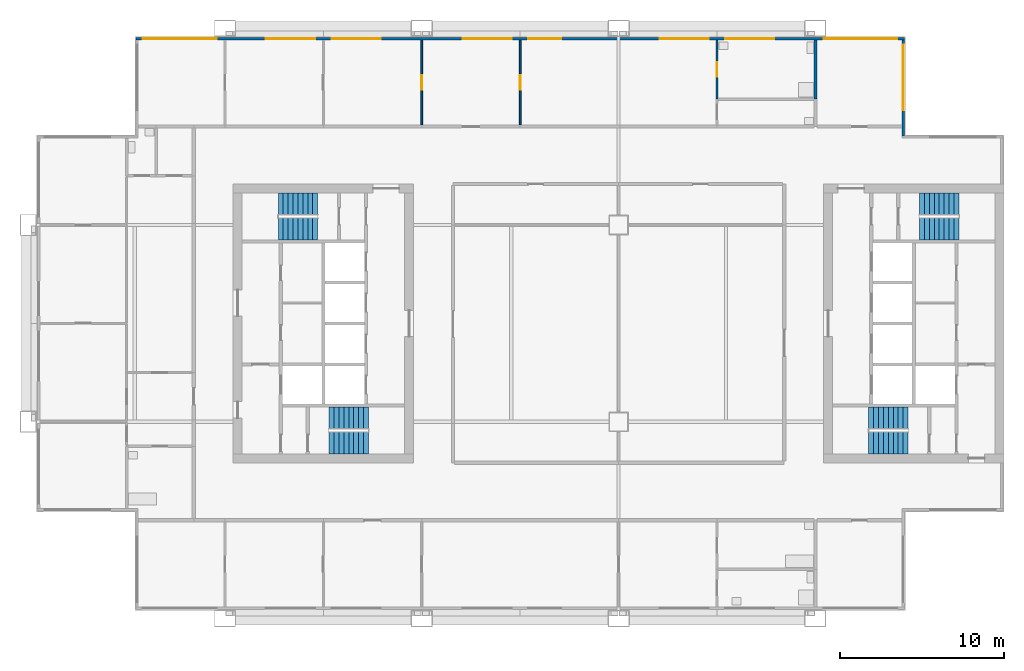
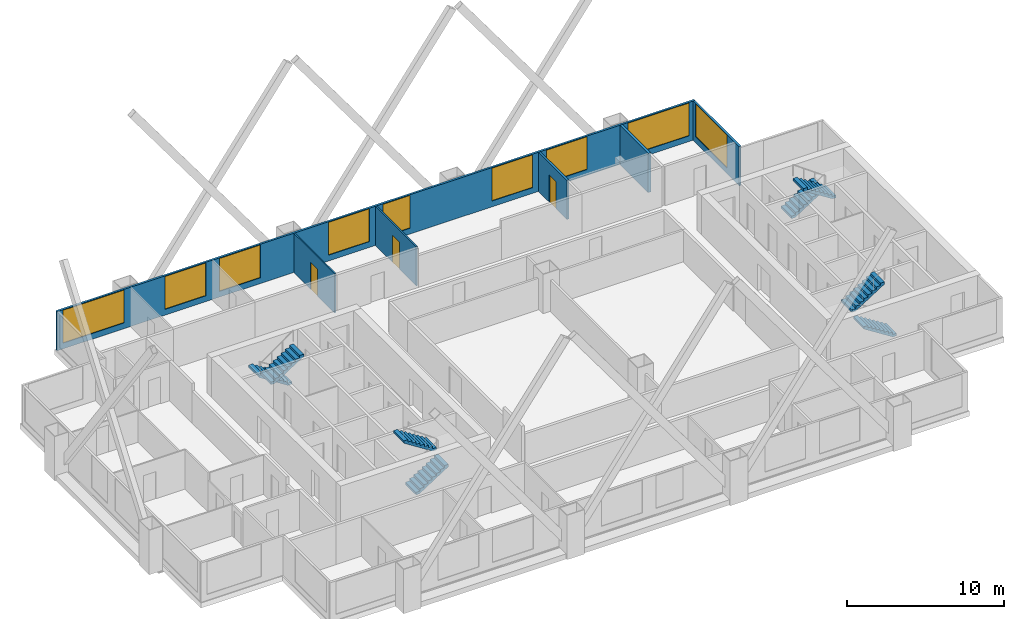
# One storey, part 6 of 8: 9 windows, 8 stair flights, 6 walls, 3 doors, 12 openings, 4 elements without a shape of their own.
"""IFC4 building model written with IfcOpenShell, lengths in metres."""

from ifc_helpers import new_model, si_unit, direction, frame, frame_2d, origin, place, context, subcontext, project, spatial, polyline, rectangle, outline, extrude, material, layer, layer_set, type_object, element, fill, aggregate, save


model = new_model("IFC4")

# Units and contexts
model_context = context("Model", 3, precision=1e-05, world=origin(), true_north=direction((0.0, 1.0)))
body_context = subcontext(model_context, "Body", "Model", "MODEL_VIEW")
ifc_project = project(units=[si_unit("LENGTHUNIT", "METRE"), si_unit("AREAUNIT", "SQUARE_METRE"), si_unit("VOLUMEUNIT", "CUBIC_METRE"), si_unit("PLANEANGLEUNIT", "RADIAN"), si_unit("MASSUNIT", "GRAM", prefix="KILO")], contexts=[model_context])

# Site, building, storey
site_placement = place(None, origin())
site = spatial("IfcSite", under=ifc_project, at=site_placement, CompositionType="ELEMENT")
building_placement = place(site_placement, origin())
building = spatial("IfcBuilding", under=site, at=building_placement, Name="Kitamizu Gate Tower and Museum", CompositionType="ELEMENT")
storey_placement = place(building_placement, frame((0.0, 0.0, 175.5)))
storey = spatial("IfcBuildingStorey", under=building, at=storey_placement, Name="L46", CompositionType="ELEMENT", Elevation=175.5)

# Wall, opening, door
ifc_material_1 = material(Name="Gypsum board on galvanised stud")
ifc_layer_1 = layer(ifc_material_1, 0.10009765625)
ifc_layer_set_1 = layer_set([ifc_layer_1], Name="Gypsum board on galvanised stud")
wall_type_1 = type_object("IfcWallType", Name="Partition 100 NOT RATED", PredefinedType="PARTITIONING", material=ifc_layer_set_1)
wall_1_placement = place(storey_placement, frame((24.0, 42.10009765625, 0.0), z_axis=(0.0, 0.0, 1.0), x_axis=(0.0, 1.0, 0.0)))
wall_1 = element("IfcWall", 1, at=wall_1_placement, inside=storey, type_object=wall_type_1, Name="Partition L46-024", PredefinedType="PARTITIONING", context=body_context, shape_type="SweptSolid", body=[
    extrude(rectangle(XDim=5.179931640625, YDim=0.10009765625, at=frame_2d((2.58984375, 0.0))), origin(), (0.0, 0.0, 1.0), 3.050048828125),
])
opening_1_placement = place(wall_1_placement, frame((2.139892578125, 0.0, 0.0)))
opening_1 = element("IfcOpeningElement", 2, at=opening_1_placement, cuts=wall_1, Name="Opening L46-011", PredefinedType="OPENING", context=body_context, shape_type="SweptSolid", body=[
    extrude(rectangle(XDim=0.89990234375, YDim=2.10009765625, at=frame_2d((0.449951171875, 1.050048828125))), frame((0.0, 0.06005859375, 0.0), z_axis=(0.0, -1.0, 0.0), x_axis=(1.0, 0.0, 0.0)), (0.0, 0.0, 1.0), 0.1201171875),
])
ifc_material_2 = material(Name="Timber door set", Category="wood")
door_type_1 = type_object("IfcDoorType", Name="Room door 900", OperationType="NOTDEFINED", PredefinedType="DOOR", material=ifc_material_2)
door_1_placement = place(opening_1_placement, origin())
door_1 = element("IfcDoor", 3, at=door_1_placement, inside=storey, type_object=door_type_1, Name="Door L46-011", OperationType="SINGLE_SWING_RIGHT", OverallHeight=2.10009765625, OverallWidth=0.89990234375, PredefinedType="DOOR", context=body_context, shape_type="SweptSolid", body=[
    extrude(rectangle(XDim=0.89990234375, YDim=2.10009765625, at=frame_2d((0.449951171875, 1.050048828125))), frame((0.0, 0.02490234375, 0.0), z_axis=(0.0, -1.0, 0.0), x_axis=(1.0, 0.0, 0.0)), (0.0, 0.0, 1.0), 0.050048828125),
])
fill(opening_1, door_1)

wall_2_placement = place(storey_placement, frame((30.0, 42.10009765625, 0.0), z_axis=(0.0, 0.0, 1.0), x_axis=(0.0, 1.0, 0.0)))
wall_2 = element("IfcWall", 4, at=wall_2_placement, inside=storey, type_object=wall_type_1, Name="Partition L46-026", PredefinedType="PARTITIONING", context=body_context, shape_type="SweptSolid", body=[
    extrude(rectangle(XDim=5.179931640625, YDim=0.10009765625, at=frame_2d((2.58984375, 0.0))), origin(), (0.0, 0.0, 1.0), 3.050048828125),
])
opening_2_placement = place(wall_2_placement, frame((2.139892578125, 0.0, 0.0)))
opening_2 = element("IfcOpeningElement", 5, at=opening_2_placement, cuts=wall_2, Name="Opening L46-009", PredefinedType="OPENING", context=body_context, shape_type="SweptSolid", body=[
    extrude(rectangle(XDim=0.89990234375, YDim=2.10009765625, at=frame_2d((0.449951171875, 1.050048828125))), frame((0.0, 0.06005859375, 0.0), z_axis=(0.0, -1.0, 0.0), x_axis=(1.0, 0.0, 0.0)), (0.0, 0.0, 1.0), 0.1201171875),
])
door_2_placement = place(opening_2_placement, frame((0.89990234375, 0.0, 0.0), x_axis=(-1.0, 0.0, 0.0)))
door_2 = element("IfcDoor", 6, at=door_2_placement, inside=storey, type_object=door_type_1, Name="Door L46-009", OperationType="SINGLE_SWING_LEFT", OverallHeight=2.10009765625, OverallWidth=0.89990234375, PredefinedType="DOOR", context=body_context, shape_type="SweptSolid", body=[
    extrude(rectangle(XDim=0.89990234375, YDim=2.10009765625, at=frame_2d((0.449951171875, 1.050048828125))), frame((0.0, 0.02490234375, 0.0), z_axis=(0.0, -1.0, 0.0), x_axis=(1.0, 0.0, 0.0)), (0.0, 0.0, 1.0), 0.050048828125),
])
fill(opening_2, door_2)

ifc_material_3 = material(Name="Gypsum board on galvanised stud")
ifc_layer_2 = layer(ifc_material_3, 0.14990234375)
ifc_layer_set_2 = layer_set([ifc_layer_2], Name="Gypsum board on galvanised stud")
wall_type_2 = type_object("IfcWallType", Name="Partition 150", PredefinedType="PARTITIONING", material=ifc_layer_set_2)
wall_3_placement = place(storey_placement, frame((42.0, 43.679931640625, 0.0), z_axis=(0.0, 0.0, 1.0), x_axis=(0.0, 1.0, 0.0)))
wall_3 = element("IfcWall", 7, at=wall_3_placement, inside=storey, type_object=wall_type_2, Name="Partition L46-028", PredefinedType="PARTITIONING", context=body_context, shape_type="SweptSolid", body=[
    extrude(rectangle(XDim=3.60009765625, YDim=0.14990234375, at=frame_2d((1.800048828125, 0.0))), origin(), (0.0, 0.0, 1.0), 3.050048828125),
])
opening_3_placement = place(wall_3_placement, frame((1.35009765625, 0.0, 0.0)))
opening_3 = element("IfcOpeningElement", 8, at=opening_3_placement, cuts=wall_3, Name="Opening L46-010", PredefinedType="OPENING", context=body_context, shape_type="SweptSolid", body=[
    extrude(rectangle(XDim=0.89990234375, YDim=2.10009765625, at=frame_2d((0.449951171875, 1.050048828125))), frame((0.0, 0.0849609375, 0.0), z_axis=(0.0, -1.0, 0.0), x_axis=(1.0, 0.0, 0.0)), (0.0, 0.0, 1.0), 0.169921875),
])
ifc_material_4 = material(Name="Timber door set", Category="wood")
door_type_2 = type_object("IfcDoorType", Name="Bathroom door 900", OperationType="NOTDEFINED", PredefinedType="DOOR", material=ifc_material_4)
door_3_placement = place(opening_3_placement, frame((0.89990234375, 0.0, 0.0), x_axis=(-1.0, 0.0, 0.0)))
door_3 = element("IfcDoor", 9, at=door_3_placement, inside=storey, type_object=door_type_2, Name="Bathroom door L46-010", OperationType="SINGLE_SWING_RIGHT", OverallHeight=2.10009765625, OverallWidth=0.89990234375, PredefinedType="DOOR", context=body_context, shape_type="SweptSolid", body=[
    extrude(rectangle(XDim=0.89990234375, YDim=2.10009765625, at=frame_2d((0.449951171875, 1.050048828125))), frame((0.0, 0.02490234375, 0.0), z_axis=(0.0, -1.0, 0.0), x_axis=(1.0, 0.0, 0.0)), (0.0, 0.0, 1.0), 0.050048828125),
])
fill(opening_3, door_3)

# Wall
ifc_material_5 = material(Name="Gypsum board on galvanised stud")
ifc_layer_3 = layer(ifc_material_5, 0.199951171875)
ifc_layer_set_3 = layer_set([ifc_layer_3], Name="Gypsum board on galvanised stud")
wall_type_3 = type_object("IfcWallType", Name="Partition 200", PredefinedType="PARTITIONING", material=ifc_layer_set_3)
wall_4_placement = place(storey_placement, frame((48.0, 43.679931640625, 0.0), z_axis=(0.0, 0.0, 1.0), x_axis=(0.0, 1.0, 0.0)))
element("IfcWall", 10, at=wall_4_placement, inside=storey, type_object=wall_type_3, Name="Partition L46-033", PredefinedType="PARTITIONING", context=body_context, shape_type="SweptSolid", body=[
    extrude(rectangle(XDim=3.60009765625, YDim=0.199951171875, at=frame_2d((1.800048828125, 0.0))), origin(), (0.0, 0.0, 1.0), 3.050048828125),
])

# Wall, opening, window
ifc_material_6 = material(Name="Bronze anodised aluminium frame with insulated spandrel and tinted glass", Category="aluminium")
ifc_layer_4 = layer(ifc_material_6, 0.14990234375)
ifc_layer_set_4 = layer_set([ifc_layer_4], Name="Bronze anodised aluminium frame with insulated spandrel and tinted glass")
wall_type_4 = type_object("IfcWallType", Name="WINDOW WALL 150 BRONZE FRAME EI 30", PredefinedType="ELEMENTEDWALL", material=ifc_layer_set_4)
wall_5_placement = place(storey_placement, frame((53.364990234375, 41.43994140625, 0.0), z_axis=(0.0, 0.0, 1.0), x_axis=(0.0, 1.0, 0.0)))
wall_5 = element("IfcWall", 11, at=wall_5_placement, inside=storey, type_object=wall_type_4, Name="Window wall east L46", PredefinedType="ELEMENTEDWALL", context=body_context, shape_type="SweptSolid", body=[
    extrude(rectangle(XDim=5.85009765625, YDim=0.14990234375, at=frame_2d((2.925048828125, 0.0))), origin(), (0.0, 0.0, 1.0), 3.050048828125),
])
opening_4_placement = place(wall_5_placement, frame((1.56005859375, 0.0, 0.449951171875)))
opening_4 = element("IfcOpeningElement", 12, at=opening_4_placement, cuts=wall_5, Name="Opening W16", PredefinedType="OPENING", context=body_context, shape_type="SweptSolid", body=[
    extrude(rectangle(XDim=4.0, YDim=2.550048828125, at=frame_2d((2.0, 1.27490234375))), frame((0.0, 0.0849609375, 0.0), z_axis=(0.0, -1.0, 0.0), x_axis=(1.0, 0.0, 0.0)), (0.0, 0.0, 1.0), 0.169921875),
])
ifc_material_7 = material(Name="Bronze anodised aluminium frame, tinted triple glazing", Category="aluminium")
window_type_1 = type_object("IfcWindowType", Name="WINDOW 4000 x 2550 SILL 450", PartitioningType="SINGLE_PANEL", PredefinedType="WINDOW", material=ifc_material_7)
window_1_placement = place(opening_4_placement, origin())
window_1 = element("IfcWindow", 13, at=window_1_placement, inside=storey, type_object=window_type_1, Name="Window W16 L46", OverallHeight=2.550048828125, OverallWidth=4.0, PartitioningType="SINGLE_PANEL", PredefinedType="WINDOW", context=body_context, shape_type="SweptSolid", body=[
    extrude(rectangle(XDim=4.0, YDim=2.550048828125, at=frame_2d((2.0, 1.27490234375))), frame((0.0, 0.030029296875, 0.0), z_axis=(0.0, -1.0, 0.0), x_axis=(1.0, 0.0, 0.0)), (0.0, 0.0, 1.0), 0.06005859375),
])
fill(opening_4, window_1)

# Wall, openings, windows
wall_6_placement = place(storey_placement, frame((6.56005859375, 47.364990234375, 0.0), z_axis=(0.0, 0.0, 1.0), x_axis=(1.0, 0.0, 0.0)))
wall_6 = element("IfcWall", 14, at=wall_6_placement, inside=storey, type_object=wall_type_4, Name="Window wall north L46", PredefinedType="ELEMENTEDWALL", context=body_context, shape_type="SweptSolid", body=[
    extrude(rectangle(XDim=46.8798828125, YDim=0.14990234375, at=frame_2d((23.43994140625, 0.0))), origin(), (0.0, 0.0, 1.0), 3.050048828125),
])
opening_5_placement = place(wall_6_placement, frame((0.43994140625, 0.0, 0.449951171875)))
opening_5 = element("IfcOpeningElement", 15, at=opening_5_placement, cuts=wall_6, Name="Opening W15", PredefinedType="OPENING", context=body_context, shape_type="SweptSolid", body=[
    extrude(rectangle(XDim=4.5, YDim=2.550048828125, at=frame_2d((2.25, 1.27490234375))), frame((0.0, 0.0849609375, 0.0), z_axis=(0.0, -1.0, 0.0), x_axis=(1.0, 0.0, 0.0)), (0.0, 0.0, 1.0), 0.169921875),
])
opening_6_placement = place(wall_6_placement, frame((7.93994140625, 0.0, 0.449951171875)))
opening_6 = element("IfcOpeningElement", 16, at=opening_6_placement, cuts=wall_6, Name="Opening W33", PredefinedType="OPENING", context=body_context, shape_type="SweptSolid", body=[
    extrude(rectangle(XDim=3.0, YDim=2.550048828125, at=frame_2d((1.5, 1.27490234375))), frame((0.0, 0.0849609375, 0.0), z_axis=(0.0, -1.0, 0.0), x_axis=(1.0, 0.0, 0.0)), (0.0, 0.0, 1.0), 0.169921875),
])
opening_7_placement = place(wall_6_placement, frame((11.93994140625, 0.0, 0.449951171875)))
opening_7 = element("IfcOpeningElement", 17, at=opening_7_placement, cuts=wall_6, Name="Opening W33", PredefinedType="OPENING", context=body_context, shape_type="SweptSolid", body=[
    extrude(rectangle(XDim=3.0, YDim=2.550048828125, at=frame_2d((1.5, 1.27490234375))), frame((0.0, 0.0849609375, 0.0), z_axis=(0.0, -1.0, 0.0), x_axis=(1.0, 0.0, 0.0)), (0.0, 0.0, 1.0), 0.169921875),
])
opening_8_placement = place(wall_6_placement, frame((19.93994140625, 0.0, 0.449951171875)))
opening_8 = element("IfcOpeningElement", 18, at=opening_8_placement, cuts=wall_6, Name="Opening W33", PredefinedType="OPENING", context=body_context, shape_type="SweptSolid", body=[
    extrude(rectangle(XDim=3.0, YDim=2.550048828125, at=frame_2d((1.5, 1.27490234375))), frame((0.0, 0.0849609375, 0.0), z_axis=(0.0, -1.0, 0.0), x_axis=(1.0, 0.0, 0.0)), (0.0, 0.0, 1.0), 0.169921875),
])
opening_9_placement = place(wall_6_placement, frame((23.93994140625, 0.0, 0.449951171875)))
opening_9 = element("IfcOpeningElement", 19, at=opening_9_placement, cuts=wall_6, Name="Opening W2", PredefinedType="OPENING", context=body_context, shape_type="SweptSolid", body=[
    extrude(rectangle(XDim=2.0, YDim=2.550048828125, at=frame_2d((1.0, 1.27490234375))), frame((0.0, 0.0849609375, 0.0), z_axis=(0.0, -1.0, 0.0), x_axis=(1.0, 0.0, 0.0)), (0.0, 0.0, 1.0), 0.169921875),
])
opening_10_placement = place(wall_6_placement, frame((31.93994140625, 0.0, 0.449951171875)))
opening_10 = element("IfcOpeningElement", 20, at=opening_10_placement, cuts=wall_6, Name="Opening W33", PredefinedType="OPENING", context=body_context, shape_type="SweptSolid", body=[
    extrude(rectangle(XDim=3.0, YDim=2.550048828125, at=frame_2d((1.5, 1.27490234375))), frame((0.0, 0.0849609375, 0.0), z_axis=(0.0, -1.0, 0.0), x_axis=(1.0, 0.0, 0.0)), (0.0, 0.0, 1.0), 0.169921875),
])
opening_11_placement = place(wall_6_placement, frame((35.93994140625, 0.0, 0.449951171875)))
opening_11 = element("IfcOpeningElement", 21, at=opening_11_placement, cuts=wall_6, Name="Opening W33", PredefinedType="OPENING", context=body_context, shape_type="SweptSolid", body=[
    extrude(rectangle(XDim=3.0, YDim=2.550048828125, at=frame_2d((1.5, 1.27490234375))), frame((0.0, 0.0849609375, 0.0), z_axis=(0.0, -1.0, 0.0), x_axis=(1.0, 0.0, 0.0)), (0.0, 0.0, 1.0), 0.169921875),
])
opening_12_placement = place(wall_6_placement, frame((41.93994140625, 0.0, 0.449951171875)))
opening_12 = element("IfcOpeningElement", 22, at=opening_12_placement, cuts=wall_6, Name="Opening W15", PredefinedType="OPENING", context=body_context, shape_type="SweptSolid", body=[
    extrude(rectangle(XDim=4.5, YDim=2.550048828125, at=frame_2d((2.25, 1.27490234375))), frame((0.0, 0.0849609375, 0.0), z_axis=(0.0, -1.0, 0.0), x_axis=(1.0, 0.0, 0.0)), (0.0, 0.0, 1.0), 0.169921875),
])
ifc_material_8 = material(Name="Bronze anodised aluminium frame, tinted triple glazing", Category="aluminium")
window_type_2 = type_object("IfcWindowType", Name="WINDOW 2000 x 2550 SILL 450", PartitioningType="SINGLE_PANEL", PredefinedType="WINDOW", material=ifc_material_8)
window_2_placement = place(opening_9_placement, origin())
window_2 = element("IfcWindow", 23, at=window_2_placement, inside=storey, type_object=window_type_2, Name="Window W2 L46", OverallHeight=2.550048828125, OverallWidth=2.0, PartitioningType="SINGLE_PANEL", PredefinedType="WINDOW", context=body_context, shape_type="SweptSolid", body=[
    extrude(rectangle(XDim=2.0, YDim=2.550048828125, at=frame_2d((1.0, 1.27490234375))), frame((0.0, 0.030029296875, 0.0), z_axis=(0.0, -1.0, 0.0), x_axis=(1.0, 0.0, 0.0)), (0.0, 0.0, 1.0), 0.06005859375),
])
fill(opening_9, window_2)
ifc_material_9 = material(Name="Bronze anodised aluminium frame, tinted triple glazing", Category="aluminium")
window_type_3 = type_object("IfcWindowType", Name="WINDOW 3000 x 2550 SILL 450", PartitioningType="SINGLE_PANEL", PredefinedType="WINDOW", material=ifc_material_9)
window_3_placement = place(opening_6_placement, origin())
window_3 = element("IfcWindow", 24, at=window_3_placement, inside=storey, type_object=window_type_3, Name="Window W33 L46", OverallHeight=2.550048828125, OverallWidth=3.0, PartitioningType="SINGLE_PANEL", PredefinedType="WINDOW", context=body_context, shape_type="SweptSolid", body=[
    extrude(rectangle(XDim=3.0, YDim=2.550048828125, at=frame_2d((1.5, 1.27490234375))), frame((0.0, 0.030029296875, 0.0), z_axis=(0.0, -1.0, 0.0), x_axis=(1.0, 0.0, 0.0)), (0.0, 0.0, 1.0), 0.06005859375),
])
fill(opening_6, window_3)
window_4_placement = place(opening_7_placement, origin())
window_4 = element("IfcWindow", 25, at=window_4_placement, inside=storey, type_object=window_type_3, Name="Window W33 L46", OverallHeight=2.550048828125, OverallWidth=3.0, PartitioningType="SINGLE_PANEL", PredefinedType="WINDOW", context=body_context, shape_type="SweptSolid", body=[
    extrude(rectangle(XDim=3.0, YDim=2.550048828125, at=frame_2d((1.5, 1.27490234375))), frame((0.0, 0.030029296875, 0.0), z_axis=(0.0, -1.0, 0.0), x_axis=(1.0, 0.0, 0.0)), (0.0, 0.0, 1.0), 0.06005859375),
])
fill(opening_7, window_4)
window_5_placement = place(opening_8_placement, origin())
window_5 = element("IfcWindow", 26, at=window_5_placement, inside=storey, type_object=window_type_3, Name="Window W33 L46", OverallHeight=2.550048828125, OverallWidth=3.0, PartitioningType="SINGLE_PANEL", PredefinedType="WINDOW", context=body_context, shape_type="SweptSolid", body=[
    extrude(rectangle(XDim=3.0, YDim=2.550048828125, at=frame_2d((1.5, 1.27490234375))), frame((0.0, 0.030029296875, 0.0), z_axis=(0.0, -1.0, 0.0), x_axis=(1.0, 0.0, 0.0)), (0.0, 0.0, 1.0), 0.06005859375),
])
fill(opening_8, window_5)
window_6_placement = place(opening_10_placement, origin())
window_6 = element("IfcWindow", 27, at=window_6_placement, inside=storey, type_object=window_type_3, Name="Window W33 L46", OverallHeight=2.550048828125, OverallWidth=3.0, PartitioningType="SINGLE_PANEL", PredefinedType="WINDOW", context=body_context, shape_type="SweptSolid", body=[
    extrude(rectangle(XDim=3.0, YDim=2.550048828125, at=frame_2d((1.5, 1.27490234375))), frame((0.0, 0.030029296875, 0.0), z_axis=(0.0, -1.0, 0.0), x_axis=(1.0, 0.0, 0.0)), (0.0, 0.0, 1.0), 0.06005859375),
])
fill(opening_10, window_6)
window_7_placement = place(opening_11_placement, origin())
window_7 = element("IfcWindow", 28, at=window_7_placement, inside=storey, type_object=window_type_3, Name="Window W33 L46", OverallHeight=2.550048828125, OverallWidth=3.0, PartitioningType="SINGLE_PANEL", PredefinedType="WINDOW", context=body_context, shape_type="SweptSolid", body=[
    extrude(rectangle(XDim=3.0, YDim=2.550048828125, at=frame_2d((1.5, 1.27490234375))), frame((0.0, 0.030029296875, 0.0), z_axis=(0.0, -1.0, 0.0), x_axis=(1.0, 0.0, 0.0)), (0.0, 0.0, 1.0), 0.06005859375),
])
fill(opening_11, window_7)
ifc_material_10 = material(Name="Bronze anodised aluminium frame, tinted triple glazing", Category="aluminium")
window_type_4 = type_object("IfcWindowType", Name="WINDOW 4500 x 2550 SILL 450", PartitioningType="SINGLE_PANEL", PredefinedType="WINDOW", material=ifc_material_10)
window_8_placement = place(opening_5_placement, origin())
window_8 = element("IfcWindow", 29, at=window_8_placement, inside=storey, type_object=window_type_4, Name="Window W15 L46", OverallHeight=2.550048828125, OverallWidth=4.5, PartitioningType="SINGLE_PANEL", PredefinedType="WINDOW", context=body_context, shape_type="SweptSolid", body=[
    extrude(rectangle(XDim=4.5, YDim=2.550048828125, at=frame_2d((2.25, 1.27490234375))), frame((0.0, 0.030029296875, 0.0), z_axis=(0.0, -1.0, 0.0), x_axis=(1.0, 0.0, 0.0)), (0.0, 0.0, 1.0), 0.06005859375),
])
fill(opening_5, window_8)
window_9_placement = place(opening_12_placement, origin())
window_9 = element("IfcWindow", 30, at=window_9_placement, inside=storey, type_object=window_type_4, Name="Window W15 L46", OverallHeight=2.550048828125, OverallWidth=4.5, PartitioningType="SINGLE_PANEL", PredefinedType="WINDOW", context=body_context, shape_type="SweptSolid", body=[
    extrude(rectangle(XDim=4.5, YDim=2.550048828125, at=frame_2d((2.25, 1.27490234375))), frame((0.0, 0.030029296875, 0.0), z_axis=(0.0, -1.0, 0.0), x_axis=(1.0, 0.0, 0.0)), (0.0, 0.0, 1.0), 0.06005859375),
])
fill(opening_12, window_9)

# Stair, stair flights
ifc_material_11 = material(Name="Concrete Fc42", Category="concrete")
stair_type = type_object("IfcStairType", Name="Exit stair 1325 wide 192 rise 300 going", PredefinedType="HALF_TURN_STAIR", material=ifc_material_11)
stair_1_placement = place(storey_placement, origin())
stair_1 = element("IfcStair", 31, at=stair_1_placement, inside=storey, type_object=stair_type, Name="Exit stair ST1", PredefinedType="HALF_TURN_STAIR")
ifc_material_12 = material(Name="Concrete Fc42", Category="concrete")
stair_flight_type = type_object("IfcStairFlightType", Name="Stair flight 1325 wide 192 rise 300 going", PredefinedType="STRAIGHT", material=ifc_material_12)
stair_flight_1_placement = place(storey_placement, frame((18.35009765625, 22.71240234375, 0.0), z_axis=(0.0, 0.0, 1.0), x_axis=(1.0, 0.0, 0.0)))
stair_flight_1 = element("IfcStairFlight", 32, at=stair_flight_1_placement, type_object=stair_flight_type, Name="ST1 flight 1", NumberOfRisers=9, NumberOfTreads=8, PredefinedType="STRAIGHT", RiserHeight=0.191666667, TreadLength=0.3, context=body_context, shape_type="SweptSolid", body=[
    extrude(outline(polyline([(0.0, 0.0), (0.0, 0.191650390625), (0.300048828125, 0.191650390625), (0.300048828125, 0.38330078125), (0.60009765625, 0.38330078125), (0.60009765625, 0.574951171875), (0.89990234375, 0.574951171875), (0.89990234375, 0.7666015625), (1.199951171875, 0.7666015625), (1.199951171875, 0.958251953125), (1.5, 0.958251953125), (1.5, 1.14990234375), (1.800048828125, 1.14990234375), (1.800048828125, 1.341552734375), (2.10009765625, 1.341552734375), (2.10009765625, 1.533447265625), (2.39990234375, 1.533447265625), (2.39990234375, 1.72509765625), (2.39990234375, 1.35546875), (0.2783203125, 0.0), (0.0, 0.0)])), frame((0.0, 0.66259765625, 0.0), z_axis=(0.0, -1.0, 0.0), x_axis=(1.0, 0.0, 0.0)), (0.0, 0.0, 1.0), 1.324951171875),
])
stair_flight_2_placement = place(storey_placement, frame((20.75, 24.237548828125, 1.72509765625), z_axis=(0.0, 0.0, 1.0), x_axis=(-1.0, 0.0, 0.0)))
stair_flight_2 = element("IfcStairFlight", 33, at=stair_flight_2_placement, type_object=stair_flight_type, Name="ST1 flight 2", NumberOfRisers=9, NumberOfTreads=8, PredefinedType="STRAIGHT", RiserHeight=0.191666667, TreadLength=0.3, context=body_context, shape_type="SweptSolid", body=[
    extrude(outline(polyline([(0.0, 0.0), (0.0, 0.191650390625), (0.300048828125, 0.191650390625), (0.300048828125, 0.38330078125), (0.60009765625, 0.38330078125), (0.60009765625, 0.574951171875), (0.89990234375, 0.574951171875), (0.89990234375, 0.7666015625), (1.199951171875, 0.7666015625), (1.199951171875, 0.958251953125), (1.5, 0.958251953125), (1.5, 1.14990234375), (1.800048828125, 1.14990234375), (1.800048828125, 1.341552734375), (2.10009765625, 1.341552734375), (2.10009765625, 1.533447265625), (2.39990234375, 1.533447265625), (2.39990234375, 1.72509765625), (2.39990234375, 1.35546875), (0.2783203125, 0.0), (0.0, 0.0)])), frame((0.0, 0.66259765625, 0.0), z_axis=(0.0, -1.0, 0.0), x_axis=(1.0, 0.0, 0.0)), (0.0, 0.0, 1.0), 1.324951171875),
])
aggregate(stair_1, [stair_flight_1, stair_flight_2])

stair_2_placement = place(storey_placement, origin())
stair_2 = element("IfcStair", 34, at=stair_2_placement, inside=storey, type_object=stair_type, Name="Exit stair ST2", PredefinedType="HALF_TURN_STAIR")
stair_flight_3_placement = place(storey_placement, frame((17.64990234375, 37.28759765625, 0.0), z_axis=(0.0, 0.0, 1.0), x_axis=(-1.0, 0.0, 0.0)))
stair_flight_3 = element("IfcStairFlight", 35, at=stair_flight_3_placement, type_object=stair_flight_type, Name="ST2 flight 1", NumberOfRisers=9, NumberOfTreads=8, PredefinedType="STRAIGHT", RiserHeight=0.191666667, TreadLength=0.3, context=body_context, shape_type="SweptSolid", body=[
    extrude(outline(polyline([(0.0, 0.0), (0.0, 0.191650390625), (0.300048828125, 0.191650390625), (0.300048828125, 0.38330078125), (0.60009765625, 0.38330078125), (0.60009765625, 0.574951171875), (0.89990234375, 0.574951171875), (0.89990234375, 0.7666015625), (1.199951171875, 0.7666015625), (1.199951171875, 0.958251953125), (1.5, 0.958251953125), (1.5, 1.14990234375), (1.800048828125, 1.14990234375), (1.800048828125, 1.341552734375), (2.10009765625, 1.341552734375), (2.10009765625, 1.533447265625), (2.39990234375, 1.533447265625), (2.39990234375, 1.72509765625), (2.39990234375, 1.35546875), (0.2783203125, 0.0), (0.0, 0.0)])), frame((0.0, 0.66259765625, 0.0), z_axis=(0.0, -1.0, 0.0), x_axis=(1.0, 0.0, 0.0)), (0.0, 0.0, 1.0), 1.324951171875),
])
stair_flight_4_placement = place(storey_placement, frame((15.25, 35.762451171875, 1.72509765625), z_axis=(0.0, 0.0, 1.0), x_axis=(1.0, 0.0, 0.0)))
stair_flight_4 = element("IfcStairFlight", 36, at=stair_flight_4_placement, type_object=stair_flight_type, Name="ST2 flight 2", NumberOfRisers=9, NumberOfTreads=8, PredefinedType="STRAIGHT", RiserHeight=0.191666667, TreadLength=0.3, context=body_context, shape_type="SweptSolid", body=[
    extrude(outline(polyline([(0.0, 0.0), (0.0, 0.191650390625), (0.300048828125, 0.191650390625), (0.300048828125, 0.38330078125), (0.60009765625, 0.38330078125), (0.60009765625, 0.574951171875), (0.89990234375, 0.574951171875), (0.89990234375, 0.7666015625), (1.199951171875, 0.7666015625), (1.199951171875, 0.958251953125), (1.5, 0.958251953125), (1.5, 1.14990234375), (1.800048828125, 1.14990234375), (1.800048828125, 1.341552734375), (2.10009765625, 1.341552734375), (2.10009765625, 1.533447265625), (2.39990234375, 1.533447265625), (2.39990234375, 1.72509765625), (2.39990234375, 1.35546875), (0.2783203125, 0.0), (0.0, 0.0)])), frame((0.0, 0.66259765625, 0.0), z_axis=(0.0, -1.0, 0.0), x_axis=(1.0, 0.0, 0.0)), (0.0, 0.0, 1.0), 1.324951171875),
])
aggregate(stair_2, [stair_flight_3, stair_flight_4])

stair_3_placement = place(storey_placement, origin())
stair_3 = element("IfcStair", 37, at=stair_3_placement, inside=storey, type_object=stair_type, Name="Exit stair ST3", PredefinedType="HALF_TURN_STAIR")
stair_flight_5_placement = place(storey_placement, frame((53.64990234375, 22.71240234375, 0.0), z_axis=(0.0, 0.0, 1.0), x_axis=(-1.0, 0.0, 0.0)))
stair_flight_5 = element("IfcStairFlight", 38, at=stair_flight_5_placement, type_object=stair_flight_type, Name="ST3 flight 1", NumberOfRisers=9, NumberOfTreads=8, PredefinedType="STRAIGHT", RiserHeight=0.191666667, TreadLength=0.3, context=body_context, shape_type="SweptSolid", body=[
    extrude(outline(polyline([(0.0, 0.0), (0.0, 0.191650390625), (0.300048828125, 0.191650390625), (0.300048828125, 0.38330078125), (0.60009765625, 0.38330078125), (0.60009765625, 0.574951171875), (0.89990234375, 0.574951171875), (0.89990234375, 0.7666015625), (1.199951171875, 0.7666015625), (1.199951171875, 0.958251953125), (1.5, 0.958251953125), (1.5, 1.14990234375), (1.800048828125, 1.14990234375), (1.800048828125, 1.341552734375), (2.10009765625, 1.341552734375), (2.10009765625, 1.533447265625), (2.39990234375, 1.533447265625), (2.39990234375, 1.72509765625), (2.39990234375, 1.35546875), (0.2783203125, 0.0), (0.0, 0.0)])), frame((0.0, 0.66259765625, 0.0), z_axis=(0.0, -1.0, 0.0), x_axis=(1.0, 0.0, 0.0)), (0.0, 0.0, 1.0), 1.324951171875),
])
stair_flight_6_placement = place(storey_placement, frame((51.25, 24.237548828125, 1.72509765625), z_axis=(0.0, 0.0, 1.0), x_axis=(1.0, 0.0, 0.0)))
stair_flight_6 = element("IfcStairFlight", 39, at=stair_flight_6_placement, type_object=stair_flight_type, Name="ST3 flight 2", NumberOfRisers=9, NumberOfTreads=8, PredefinedType="STRAIGHT", RiserHeight=0.191666667, TreadLength=0.3, context=body_context, shape_type="SweptSolid", body=[
    extrude(outline(polyline([(0.0, 0.0), (0.0, 0.191650390625), (0.300048828125, 0.191650390625), (0.300048828125, 0.38330078125), (0.60009765625, 0.38330078125), (0.60009765625, 0.574951171875), (0.89990234375, 0.574951171875), (0.89990234375, 0.7666015625), (1.199951171875, 0.7666015625), (1.199951171875, 0.958251953125), (1.5, 0.958251953125), (1.5, 1.14990234375), (1.800048828125, 1.14990234375), (1.800048828125, 1.341552734375), (2.10009765625, 1.341552734375), (2.10009765625, 1.533447265625), (2.39990234375, 1.533447265625), (2.39990234375, 1.72509765625), (2.39990234375, 1.35546875), (0.2783203125, 0.0), (0.0, 0.0)])), frame((0.0, 0.66259765625, 0.0), z_axis=(0.0, -1.0, 0.0), x_axis=(1.0, 0.0, 0.0)), (0.0, 0.0, 1.0), 1.324951171875),
])
aggregate(stair_3, [stair_flight_5, stair_flight_6])

stair_4_placement = place(storey_placement, origin())
stair_4 = element("IfcStair", 40, at=stair_4_placement, inside=storey, type_object=stair_type, Name="Exit stair ST4", PredefinedType="HALF_TURN_STAIR")
stair_flight_7_placement = place(storey_placement, frame((54.35009765625, 37.28759765625, 0.0), z_axis=(0.0, 0.0, 1.0), x_axis=(1.0, 0.0, 0.0)))
stair_flight_7 = element("IfcStairFlight", 41, at=stair_flight_7_placement, type_object=stair_flight_type, Name="ST4 flight 1", NumberOfRisers=9, NumberOfTreads=8, PredefinedType="STRAIGHT", RiserHeight=0.191666667, TreadLength=0.3, context=body_context, shape_type="SweptSolid", body=[
    extrude(outline(polyline([(0.0, 0.0), (0.0, 0.191650390625), (0.300048828125, 0.191650390625), (0.300048828125, 0.38330078125), (0.60009765625, 0.38330078125), (0.60009765625, 0.574951171875), (0.89990234375, 0.574951171875), (0.89990234375, 0.7666015625), (1.199951171875, 0.7666015625), (1.199951171875, 0.958251953125), (1.5, 0.958251953125), (1.5, 1.14990234375), (1.800048828125, 1.14990234375), (1.800048828125, 1.341552734375), (2.10009765625, 1.341552734375), (2.10009765625, 1.533447265625), (2.39990234375, 1.533447265625), (2.39990234375, 1.72509765625), (2.39990234375, 1.35546875), (0.2783203125, 0.0), (0.0, 0.0)])), frame((0.0, 0.66259765625, 0.0), z_axis=(0.0, -1.0, 0.0), x_axis=(1.0, 0.0, 0.0)), (0.0, 0.0, 1.0), 1.324951171875),
])
stair_flight_8_placement = place(storey_placement, frame((56.75, 35.762451171875, 1.72509765625), z_axis=(0.0, 0.0, 1.0), x_axis=(-1.0, 0.0, 0.0)))
stair_flight_8 = element("IfcStairFlight", 42, at=stair_flight_8_placement, type_object=stair_flight_type, Name="ST4 flight 2", NumberOfRisers=9, NumberOfTreads=8, PredefinedType="STRAIGHT", RiserHeight=0.191666667, TreadLength=0.3, context=body_context, shape_type="SweptSolid", body=[
    extrude(outline(polyline([(0.0, 0.0), (0.0, 0.191650390625), (0.300048828125, 0.191650390625), (0.300048828125, 0.38330078125), (0.60009765625, 0.38330078125), (0.60009765625, 0.574951171875), (0.89990234375, 0.574951171875), (0.89990234375, 0.7666015625), (1.199951171875, 0.7666015625), (1.199951171875, 0.958251953125), (1.5, 0.958251953125), (1.5, 1.14990234375), (1.800048828125, 1.14990234375), (1.800048828125, 1.341552734375), (2.10009765625, 1.341552734375), (2.10009765625, 1.533447265625), (2.39990234375, 1.533447265625), (2.39990234375, 1.72509765625), (2.39990234375, 1.35546875), (0.2783203125, 0.0), (0.0, 0.0)])), frame((0.0, 0.66259765625, 0.0), z_axis=(0.0, -1.0, 0.0), x_axis=(1.0, 0.0, 0.0)), (0.0, 0.0, 1.0), 1.324951171875),
])
aggregate(stair_4, [stair_flight_7, stair_flight_8])

save(model, "model.ifc")
